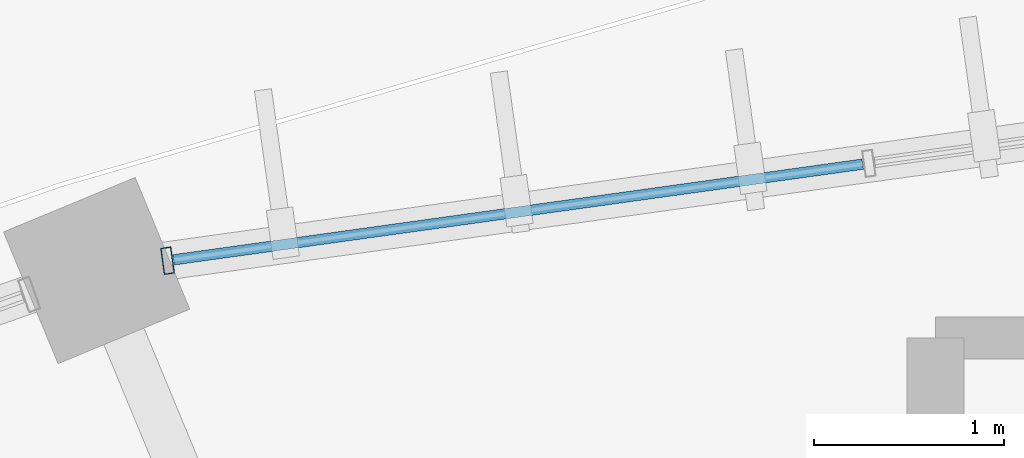
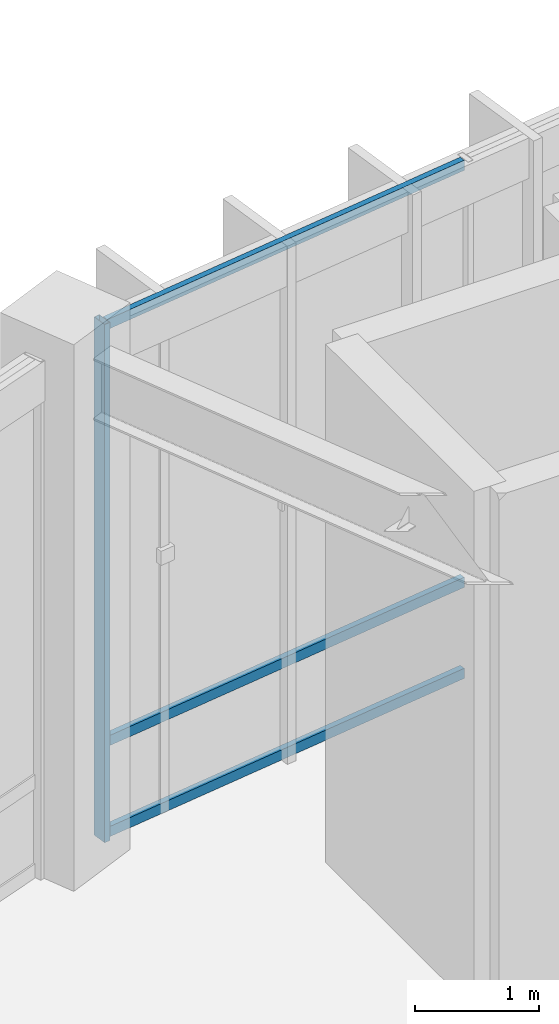
# One storey, part 69 of 157: 4 members, 1 element without a shape of its own.
"""IFC4 building model written with IfcOpenShell, lengths in metres."""

from ifc_helpers import new_model, si_unit, direction, frame, origin, origin_2d, place, context, subcontext, project, spatial, hollow_rectangle, extrude, material, material_profile, profile_set, type_object, element, aggregate, save


model = new_model("IFC4")

# Units and contexts
model_context = context("Model", 3, precision=1e-05, world=origin(), true_north=direction((0.0, 1.0)))
body_context = subcontext(model_context, "Body", "Model", "MODEL_VIEW")
ifc_project = project(units=[si_unit("LENGTHUNIT", "METRE"), si_unit("AREAUNIT", "SQUARE_METRE"), si_unit("VOLUMEUNIT", "CUBIC_METRE"), si_unit("PLANEANGLEUNIT", "RADIAN"), si_unit("MASSUNIT", "GRAM", prefix="KILO"), si_unit("THERMODYNAMICTEMPERATUREUNIT", "KELVIN"), si_unit("POWERUNIT", "WATT")], contexts=[model_context])

# Site, building, storey
site_placement = place(None, origin())
site = spatial("IfcSite", under=ifc_project, at=site_placement, CompositionType="ELEMENT")
building_placement = place(site_placement, origin())
building = spatial("IfcBuilding", under=site, at=building_placement, Name="Darbajah Civic Hall", CompositionType="ELEMENT")
storey_placement = place(building_placement, origin())
storey = spatial("IfcBuildingStorey", under=building, at=storey_placement, Name="L00", CompositionType="ELEMENT", Elevation=0.0)

# Curtain wall, members
ifc_material_1 = material(Name="Anodised Bronze Aluminium and Low-E Glazing", Category="aluminium")
curtain_wall_type = type_object("IfcCurtainWallType", Name="Unitised Curtain Wall CW-05 14900x5100", PredefinedType="USERDEFINED", material=ifc_material_1)
curtain_wall_placement = place(storey_placement, origin())
curtain_wall = element("IfcCurtainWall", 1, at=curtain_wall_placement, inside=storey, type_object=curtain_wall_type, Name="L00 unitised curtain wall CW-V1O-L00-05", ObjectType="UNITISED CURTAIN WALL", PredefinedType="USERDEFINED")
ifc_material_2 = material(Name="Anodised Bronze Aluminium", Category="aluminium")
ifc_material_profile_1 = material_profile(ifc_material_2, hollow_rectangle(XDim=0.054931640625, YDim=0.139892578125, WallThickness=0.003173828125, at=origin_2d()), Name="ALU MULLION 55x140")
ifc_profile_set_1 = profile_set([ifc_material_profile_1], Name="Anodised Bronze Aluminium")
member_type_1 = type_object("IfcMemberType", Name="ALU MULLION 55x140", PredefinedType="MULLION", material=ifc_profile_set_1)
member_1_placement = place(storey_placement, frame((69.95654296875, 117.106201171875, 0.0), z_axis=(0.0, 0.0, 1.0), x_axis=(-0.990485459553, -0.137617420457, 0.0)))
member_1 = element("IfcMember", 2, at=member_1_placement, type_object=member_type_1, Name="CW-V1O-L00-05 mullion 5", PredefinedType="MULLION", context=body_context, shape_type="SweptSolid", body=[
    extrude(hollow_rectangle(XDim=0.054931640625, YDim=0.139892578125, WallThickness=0.003173828125, at=origin_2d()), origin(), (0.0, 0.0, 1.0), 5.1201171875),
])
ifc_material_profile_2 = material_profile(ifc_material_2, hollow_rectangle(XDim=0.054931640625, YDim=0.10009765625, WallThickness=0.0029296875, at=origin_2d()), Name="ALU TRANSOM 55x100")
ifc_profile_set_2 = profile_set([ifc_material_profile_2], Name="Anodised Bronze Aluminium")
member_type_2 = type_object("IfcMemberType", Name="ALU TRANSOM 55x100", PredefinedType="USERDEFINED", material=ifc_profile_set_2)
member_2_placement = place(storey_placement, frame((73.616455078125, 117.614501953125, 0.050048828125), z_axis=(-0.99049908429, -0.137519322356, 0.0), x_axis=(0.137519322356, -0.99049908429, 0.0)))
member_2 = element("IfcMember", 3, at=member_2_placement, type_object=member_type_2, Name="CW-V1O-L00-05 transom 4.1", ObjectType="TRANSOM", PredefinedType="USERDEFINED", context=body_context, shape_type="SweptSolid", body=[
    extrude(hollow_rectangle(XDim=0.054931640625, YDim=0.10009765625, WallThickness=0.0029296875, at=origin_2d()), origin(), (0.0, 0.0, 1.0), 3.66259765625),
])
member_3_placement = place(storey_placement, frame((73.616455078125, 117.614501953125, 0.949951171875), z_axis=(-0.99049908429, -0.137519322356, 0.0), x_axis=(0.137519322356, -0.99049908429, 0.0)))
member_3 = element("IfcMember", 4, at=member_3_placement, type_object=member_type_2, Name="CW-V1O-L00-05 transom 4.2", ObjectType="TRANSOM", PredefinedType="USERDEFINED", context=body_context, shape_type="SweptSolid", body=[
    extrude(hollow_rectangle(XDim=0.054931640625, YDim=0.10009765625, WallThickness=0.0029296875, at=origin_2d()), origin(), (0.0, 0.0, 1.0), 3.66259765625),
])
member_4_placement = place(storey_placement, frame((73.616455078125, 117.614501953125, 5.070068359375), z_axis=(-0.99049908429, -0.137519322356, 0.0), x_axis=(0.137519322356, -0.99049908429, 0.0)))
member_4 = element("IfcMember", 5, at=member_4_placement, type_object=member_type_2, Name="CW-V1O-L00-05 transom 4.3", ObjectType="TRANSOM", PredefinedType="USERDEFINED", context=body_context, shape_type="SweptSolid", body=[
    extrude(hollow_rectangle(XDim=0.054931640625, YDim=0.10009765625, WallThickness=0.0029296875, at=origin_2d()), origin(), (0.0, 0.0, 1.0), 3.66259765625),
])
aggregate(curtain_wall, [member_1, member_2, member_3, member_4])

save(model, "model.ifc")
